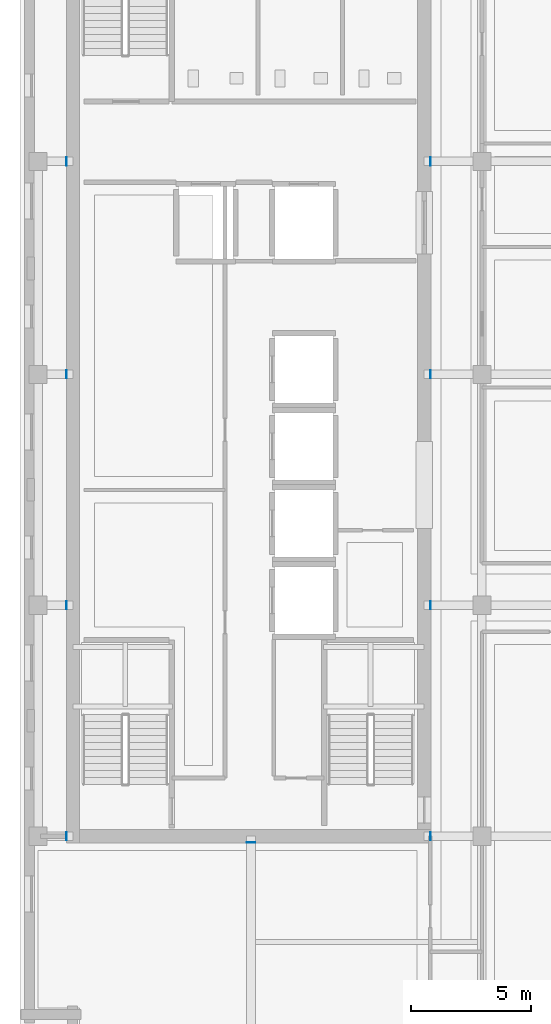
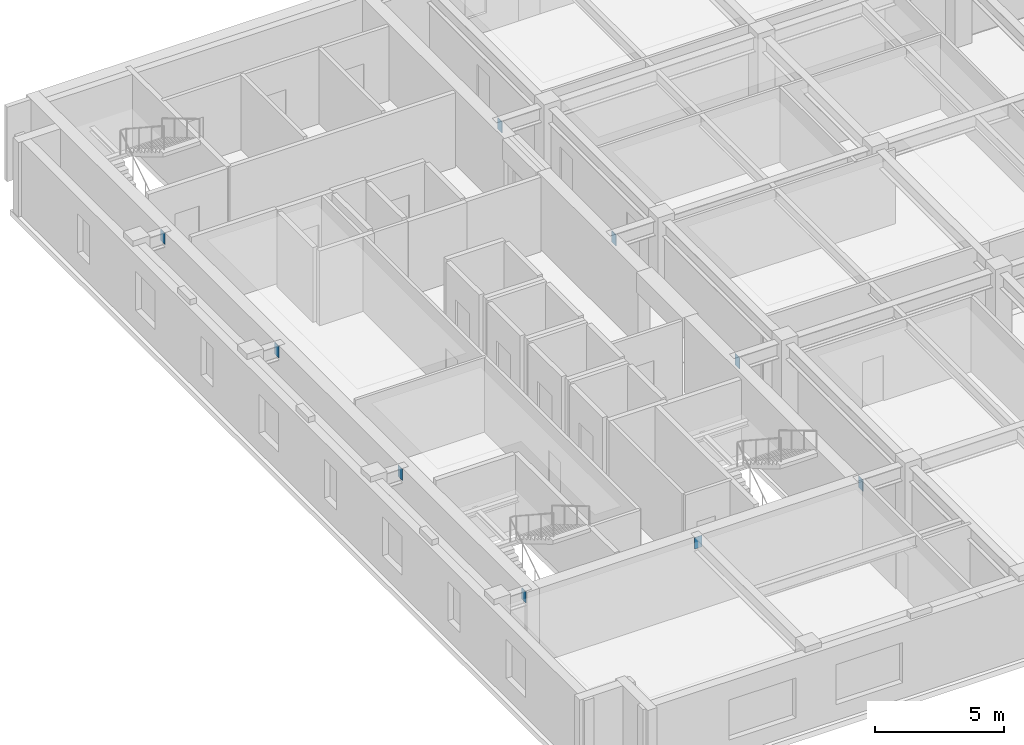
# One storey, part 7 of 13: 9 discrete accessories.
"""IFC4 building model written with IfcOpenShell, lengths in metres."""

from ifc_helpers import new_model, si_unit, direction, frame, origin, origin_2d, place, context, subcontext, project, spatial, rectangle, extrude, material, layer, layer_set, type_object, element, save


model = new_model("IFC4")

# Units and contexts
model_context = context("Model", 3, precision=1e-05, world=origin(), true_north=direction((0.0, 1.0)))
body_context = subcontext(model_context, "Body", "Model", "MODEL_VIEW")
ifc_project = project(units=[si_unit("LENGTHUNIT", "METRE"), si_unit("AREAUNIT", "SQUARE_METRE"), si_unit("VOLUMEUNIT", "CUBIC_METRE"), si_unit("PLANEANGLEUNIT", "RADIAN"), si_unit("MASSUNIT", "GRAM", prefix="KILO")], contexts=[model_context])

# Site, building, storey
site_placement = place(None, origin())
site = spatial("IfcSite", under=ifc_project, at=site_placement, CompositionType="ELEMENT")
building_placement = place(site_placement, origin())
building = spatial("IfcBuilding", under=site, at=building_placement, Name="Norrvale University Quadrangle", CompositionType="ELEMENT")
storey_placement = place(building_placement, frame((0.0, 0.0, 277.199951171875)))
storey = spatial("IfcBuildingStorey", under=building, at=storey_placement, Name="L70", CompositionType="ELEMENT", Elevation=277.199951171875)

# Discrete accessories
ifc_material = material(Name="Steel 350W", Category="steel")
ifc_layer = layer(ifc_material, 0.02490234375, Name="Steel 350W")
ifc_layer_set = layer_set([ifc_layer], Name="Steel 350W")
discrete_accessory_type = type_object("IfcDiscreteAccessoryType", Name="Accessory Cast In Embed Plate", PredefinedType="ANCHORPLATE", material=ifc_layer_set)
for number, where, z_axis, x_axis, name in (
    (1, (1.9375, 9.60009765625, 2.9599609375), (0.0, 0.0, 1.0), (1.0, 0.0, 0.0), "Core Wall Cast-in Embed Plate L70-GCW035"),
    (2, (17.0625, 9.60009765625, 2.9599609375), (0.0, 0.0, 1.0), (1.0, 0.0, 0.0), "Core Wall Cast-in Embed Plate L70-GCE036"),
    (3, (1.9375, 19.199951171875, 2.9599609375), (0.0, 0.0, 1.0), (1.0, 0.0, 0.0), "Core Wall Cast-in Embed Plate L70-GCW037"),
    (4, (17.0625, 19.199951171875, 2.9599609375), (0.0, 0.0, 1.0), (1.0, 0.0, 0.0), "Core Wall Cast-in Embed Plate L70-GCE038"),
    (5, (1.9375, 28.800048828125, 2.9599609375), (0.0, 0.0, 1.0), (1.0, 0.0, 0.0), "Core Wall Cast-in Embed Plate L70-GCW039"),
    (6, (17.0625, 28.800048828125, 2.9599609375), (0.0, 0.0, 1.0), (1.0, 0.0, 0.0), "Core Wall Cast-in Embed Plate L70-GCE040"),
    (7, (1.9375, 37.64990234375, 2.9599609375), (0.0, 0.0, 1.0), (1.0, 0.0, 0.0), "Core Wall Cast-in Embed Plate L70-GCW041"),
    (8, (17.0625, 37.64990234375, 2.9599609375), (0.0, 0.0, 1.0), (1.0, 0.0, 0.0), "Core Wall Cast-in Embed Plate L70-GCE042"),
):
    element("IfcDiscreteAccessory", number, at=place(storey_placement, frame(where, z_axis=z_axis, x_axis=x_axis)), inside=storey, type_object=discrete_accessory_type, Name=name, PredefinedType="ANCHORPLATE", context=body_context, shape_type="SweptSolid", body=[
        extrude(rectangle(XDim=0.02490234375, YDim=0.35009765625, at=origin_2d()), origin(), (0.0, 0.0, 1.0), 0.5400390625),
    ])
discrete_accessory_placement = place(storey_placement, frame((9.60009765625, 9.33740234375, 2.9599609375), z_axis=(0.0, 0.0, 1.0), x_axis=(1.0, 0.0, 0.0)))
element("IfcDiscreteAccessory", 9, at=discrete_accessory_placement, inside=storey, type_object=discrete_accessory_type, Name="Core Wall Cast-in Embed Plate L70-GCS054", PredefinedType="ANCHORPLATE", context=body_context, shape_type="SweptSolid", body=[
    extrude(rectangle(XDim=0.35009765625, YDim=0.02490234375, at=origin_2d()), origin(), (0.0, 0.0, 1.0), 0.5400390625),
])

save(model, "model.ifc")
